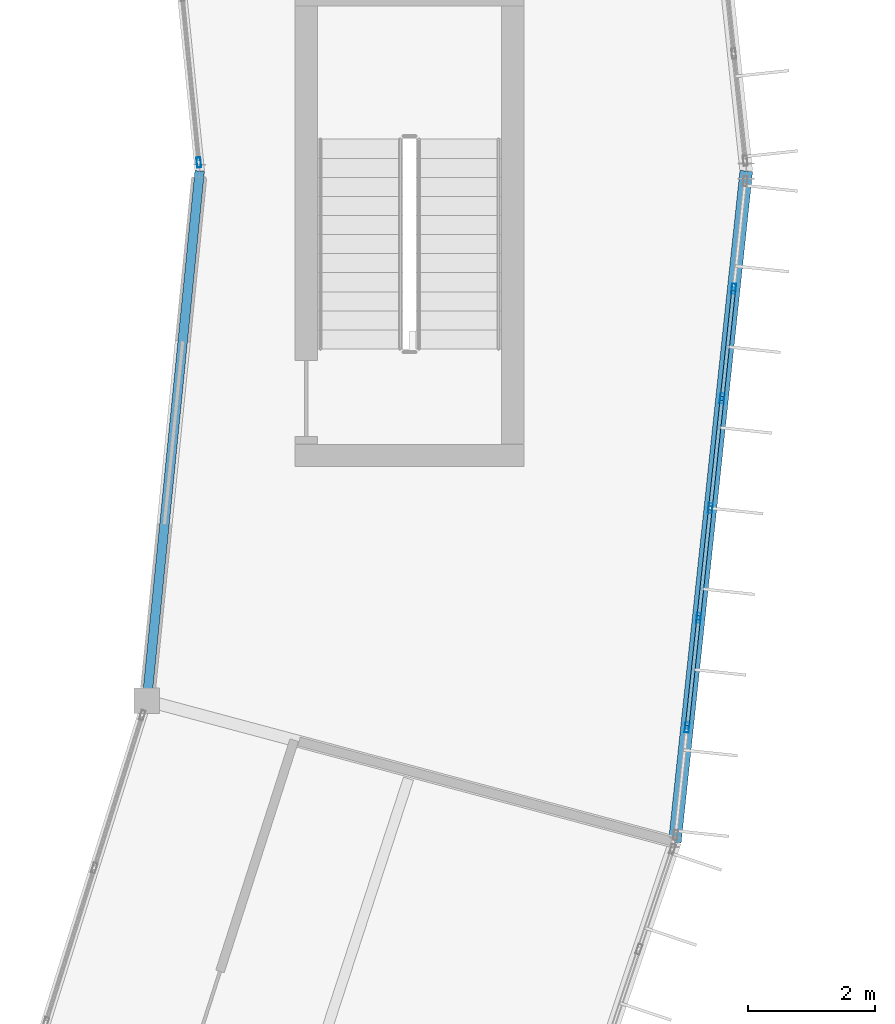
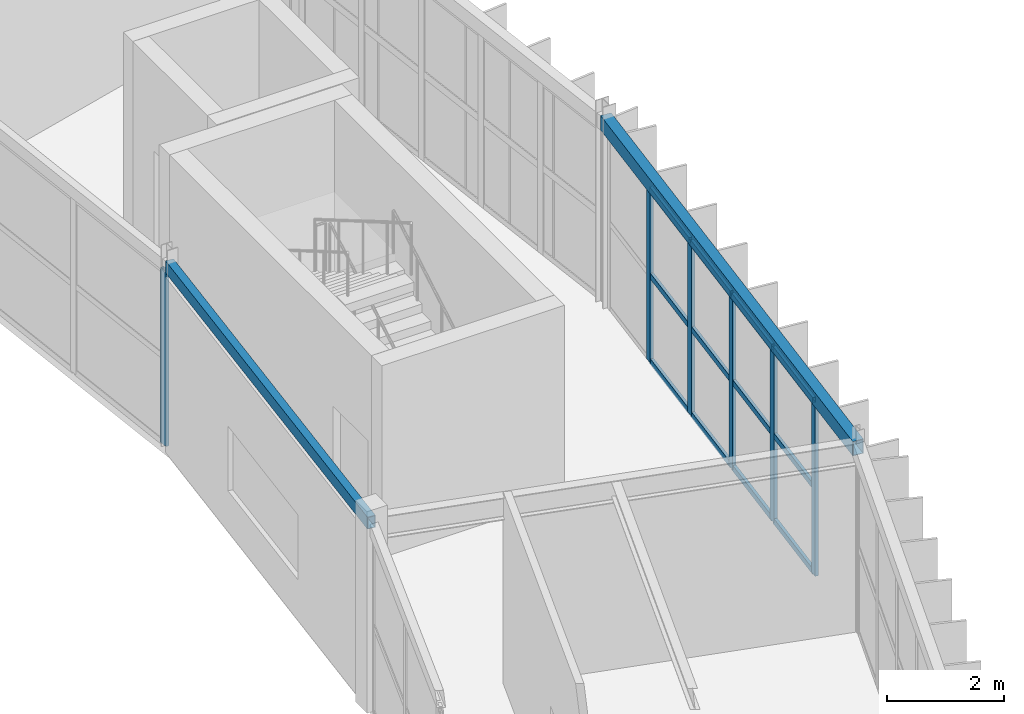
# One storey, part 50 of 106: 18 members, 2 beams, 2 elements without a shape of their own.
"""IFC4 building model written with IfcOpenShell, lengths in metres."""

from ifc_helpers import new_model, si_unit, direction, frame, origin, origin_2d, place, context, subcontext, project, spatial, hollow_rectangle, extrude, material, material_profile, profile_set, type_object, element, aggregate, save


model = new_model("IFC4")

# Units and contexts
model_context = context("Model", 3, precision=1e-05, world=origin(), true_north=direction((0.0, 1.0)))
body_context = subcontext(model_context, "Body", "Model", "MODEL_VIEW")
ifc_project = project(units=[si_unit("LENGTHUNIT", "METRE"), si_unit("AREAUNIT", "SQUARE_METRE"), si_unit("VOLUMEUNIT", "CUBIC_METRE"), si_unit("PLANEANGLEUNIT", "RADIAN"), si_unit("MASSUNIT", "GRAM", prefix="KILO")], contexts=[model_context])

# Site, building, storey
site_placement = place(None, origin())
site = spatial("IfcSite", under=ifc_project, at=site_placement, CompositionType="ELEMENT")
building_placement = place(site_placement, origin())
building = spatial("IfcBuilding", under=site, at=building_placement, Name="Karori Crest Natural Sciences Institute", CompositionType="ELEMENT")
storey_placement = place(building_placement, frame((0.0, 0.0, 25.89990234375)))
storey = spatial("IfcBuildingStorey", under=building, at=storey_placement, Name="L06", CompositionType="ELEMENT", Elevation=25.89990234375)

# Beams
ifc_material_1 = material(Name="Hollow structural steel AS/NZS 1163 Grade C350", Category="steel")
ifc_material_profile_1 = material_profile(ifc_material_1, hollow_rectangle(XDim=0.199951171875, YDim=0.300048828125, WallThickness=0.010009765625, at=origin_2d()), Name="RHS300x200x10")
ifc_profile_set_1 = profile_set([ifc_material_profile_1], Name="Hollow structural steel AS/NZS 1163 Grade C350")
beam_type_1 = type_object("IfcBeamType", Name="BT-15", PredefinedType="SPANDREL", material=ifc_profile_set_1)
beam_1_placement = place(storey_placement, frame((98.275634765625, 39.340087890625, 3.7900390625), z_axis=(0.105868278464, 0.994380162521, 0.0), x_axis=(-0.994380162521, 0.105868278464, 0.0)))
element("IfcBeam", 1, at=beam_1_placement, inside=storey, type_object=beam_type_1, Name="Beam B-0641", PredefinedType="SPANDREL", context=body_context, shape_type="SweptSolid", body=[
    extrude(hollow_rectangle(XDim=0.199951171875, YDim=0.300048828125, WallThickness=0.010009765625, at=origin_2d()), origin(), (0.0, 0.0, 1.0), 10.619384765625),
])
ifc_material_profile_2 = material_profile(ifc_material_1, hollow_rectangle(XDim=0.14990234375, YDim=0.25, WallThickness=0.009033203125, at=origin_2d()), Name="RHS250x150x9")
ifc_profile_set_2 = profile_set([ifc_material_profile_2], Name="Hollow structural steel AS/NZS 1163 Grade C350")
beam_type_2 = type_object("IfcBeamType", Name="BT-16", PredefinedType="SPANDREL", material=ifc_profile_set_2)
beam_2_placement = place(storey_placement, frame((89.968505859375, 41.56591796875, 3.7900390625), z_axis=(0.099284371237, 0.99505910057, 0.0), x_axis=(-0.99505910057, 0.099284371237, 0.0)))
element("IfcBeam", 2, at=beam_2_placement, inside=storey, type_object=beam_type_2, Name="Beam B-0642", PredefinedType="SPANDREL", context=body_context, shape_type="SweptSolid", body=[
    extrude(hollow_rectangle(XDim=0.14990234375, YDim=0.25, WallThickness=0.009033203125, at=origin_2d()), origin(), (0.0, 0.0, 1.0), 8.37548828125),
])

# Curtain wall, members
ifc_material_2 = material(Name="Anodised architectural aluminium 6063-T6", Category="aluminium")
curtain_wall_type_1 = type_object("IfcCurtainWallType", Name="CWT-04", PredefinedType="NOTDEFINED", material=ifc_material_2)
curtain_wall_1_placement = place(storey_placement, origin())
curtain_wall_1 = element("IfcCurtainWall", 3, at=curtain_wall_1_placement, inside=storey, type_object=curtain_wall_type_1, Name="Curtain wall CW-0219", PredefinedType="NOTDEFINED")
ifc_material_profile_3 = material_profile(ifc_material_2, hollow_rectangle(XDim=0.06494140625, YDim=0.159912109375, WallThickness=0.00390625, at=origin_2d()), Name="CWM160x65x4")
ifc_profile_set_3 = profile_set([ifc_material_profile_3], Name="Anodised architectural aluminium 6063-T6")
member_type_1 = type_object("IfcMemberType", Name="CWM-01", PredefinedType="MULLION", material=ifc_profile_set_3)
member_1_placement = place(storey_placement, frame((99.20263671875, 48.046630859375, 0.0), z_axis=(0.0, 0.0, 1.0), x_axis=(0.994378309998, -0.105885677057, 0.0)))
member_1 = element("IfcMember", 4, at=member_1_placement, type_object=member_type_1, Name="CW-0219 mullion 2", PredefinedType="MULLION", context=body_context, shape_type="SweptSolid", body=[
    extrude(hollow_rectangle(XDim=0.06494140625, YDim=0.159912109375, WallThickness=0.00390625, at=origin_2d()), origin(), (0.0, 0.0, 1.0), 3.625),
])
member_2_placement = place(storey_placement, frame((99.01904296875, 46.321044921875, 0.0), z_axis=(0.0, 0.0, 1.0), x_axis=(0.994378309998, -0.105885677057, 0.0)))
member_2 = element("IfcMember", 5, at=member_2_placement, type_object=member_type_1, Name="CW-0219 mullion 3", PredefinedType="MULLION", context=body_context, shape_type="SweptSolid", body=[
    extrude(hollow_rectangle(XDim=0.06494140625, YDim=0.159912109375, WallThickness=0.00390625, at=origin_2d()), origin(), (0.0, 0.0, 1.0), 3.625),
])
member_3_placement = place(storey_placement, frame((98.835205078125, 44.595703125, 0.0), z_axis=(0.0, 0.0, 1.0), x_axis=(0.994378309998, -0.105885677057, 0.0)))
member_3 = element("IfcMember", 6, at=member_3_placement, type_object=member_type_1, Name="CW-0219 mullion 4", PredefinedType="MULLION", context=body_context, shape_type="SweptSolid", body=[
    extrude(hollow_rectangle(XDim=0.06494140625, YDim=0.159912109375, WallThickness=0.00390625, at=origin_2d()), origin(), (0.0, 0.0, 1.0), 3.625),
])
member_4_placement = place(storey_placement, frame((98.6513671875, 42.8701171875, 0.0), z_axis=(0.0, 0.0, 1.0), x_axis=(0.994378309998, -0.105885677057, 0.0)))
member_4 = element("IfcMember", 7, at=member_4_placement, type_object=member_type_1, Name="CW-0219 mullion 5", PredefinedType="MULLION", context=body_context, shape_type="SweptSolid", body=[
    extrude(hollow_rectangle(XDim=0.06494140625, YDim=0.159912109375, WallThickness=0.00390625, at=origin_2d()), origin(), (0.0, 0.0, 1.0), 3.625),
])
member_5_placement = place(storey_placement, frame((98.4677734375, 41.144775390625, 0.0), z_axis=(0.0, 0.0, 1.0), x_axis=(0.994378309998, -0.105885677057, 0.0)))
member_5 = element("IfcMember", 8, at=member_5_placement, type_object=member_type_1, Name="CW-0219 mullion 6", PredefinedType="MULLION", context=body_context, shape_type="SweptSolid", body=[
    extrude(hollow_rectangle(XDim=0.06494140625, YDim=0.159912109375, WallThickness=0.00390625, at=origin_2d()), origin(), (0.0, 0.0, 1.0), 3.625),
])

# Curtain wall, member
curtain_wall_type_2 = type_object("IfcCurtainWallType", Name="CWT-11", PredefinedType="NOTDEFINED", material=ifc_material_2)
curtain_wall_2_placement = place(storey_placement, origin())
curtain_wall_2 = element("IfcCurtainWall", 9, at=curtain_wall_2_placement, inside=storey, type_object=curtain_wall_type_2, Name="Curtain wall CW-0221", PredefinedType="NOTDEFINED")
member_6_placement = place(storey_placement, frame((90.786376953125, 50.035400390625, 0.0), z_axis=(0.0, 0.0, 1.0), x_axis=(-0.995060684604, -0.099268494275, 0.0)))
member_6 = element("IfcMember", 10, at=member_6_placement, type_object=member_type_1, Name="CW-0221 mullion 1", PredefinedType="MULLION", context=body_context, shape_type="SweptSolid", body=[
    extrude(hollow_rectangle(XDim=0.06494140625, YDim=0.159912109375, WallThickness=0.00390625, at=origin_2d()), origin(), (0.0, 0.0, 1.0), 3.650146484375),
])
aggregate(curtain_wall_2, [member_6])

# Member
ifc_material_profile_4 = material_profile(ifc_material_2, hollow_rectangle(XDim=0.06005859375, YDim=0.1201171875, WallThickness=0.00390625, at=origin_2d()), Name="CWT120x60x4")
ifc_profile_set_4 = profile_set([ifc_material_profile_4], Name="Anodised architectural aluminium 6063-T6")
member_type_2 = type_object("IfcMemberType", Name="CWT-TR1", PredefinedType="USERDEFINED", material=ifc_profile_set_4)
member_7_placement = place(storey_placement, frame((99.19921875, 48.01416015625, 0.030029296875), z_axis=(-0.105841415473, -0.994383022165, 0.0), x_axis=(0.994383022165, -0.105841415473, 0.0)))
member_7 = element("IfcMember", 11, at=member_7_placement, type_object=member_type_2, Name="CW-0219 transom 2.1", ObjectType="TRANSOM", PredefinedType="USERDEFINED", context=body_context, shape_type="SweptSolid", body=[
    extrude(hollow_rectangle(XDim=0.06005859375, YDim=0.1201171875, WallThickness=0.00390625, at=origin_2d()), origin(), (0.0, 0.0, 1.0), 1.669921875),
])

member_8_placement = place(storey_placement, frame((99.19921875, 48.01416015625, 1.8125), z_axis=(-0.105841415473, -0.994383022165, 0.0), x_axis=(0.994383022165, -0.105841415473, 0.0)))
member_8 = element("IfcMember", 12, at=member_8_placement, type_object=member_type_2, Name="CW-0219 transom 2.2", ObjectType="TRANSOM", PredefinedType="USERDEFINED", context=body_context, shape_type="SweptSolid", body=[
    extrude(hollow_rectangle(XDim=0.06005859375, YDim=0.1201171875, WallThickness=0.00390625, at=origin_2d()), origin(), (0.0, 0.0, 1.0), 1.669921875),
])

member_9_placement = place(storey_placement, frame((99.19921875, 48.01416015625, 3.59521484375), z_axis=(-0.105841415473, -0.994383022165, 0.0), x_axis=(0.994383022165, -0.105841415473, 0.0)))
member_9 = element("IfcMember", 13, at=member_9_placement, type_object=member_type_2, Name="CW-0219 transom 2.3", ObjectType="TRANSOM", PredefinedType="USERDEFINED", context=body_context, shape_type="SweptSolid", body=[
    extrude(hollow_rectangle(XDim=0.06005859375, YDim=0.1201171875, WallThickness=0.00390625, at=origin_2d()), origin(), (0.0, 0.0, 1.0), 1.669921875),
])

member_10_placement = place(storey_placement, frame((99.015380859375, 46.288818359375, 0.030029296875), z_axis=(-0.105826031672, -0.994384659486, 0.0), x_axis=(0.994384659486, -0.105826031672, 0.0)))
member_10 = element("IfcMember", 14, at=member_10_placement, type_object=member_type_2, Name="CW-0219 transom 3.1", ObjectType="TRANSOM", PredefinedType="USERDEFINED", context=body_context, shape_type="SweptSolid", body=[
    extrude(hollow_rectangle(XDim=0.06005859375, YDim=0.1201171875, WallThickness=0.00390625, at=origin_2d()), origin(), (0.0, 0.0, 1.0), 1.670166015625),
])

member_11_placement = place(storey_placement, frame((99.015380859375, 46.288818359375, 1.8125), z_axis=(-0.105826031672, -0.994384659486, 0.0), x_axis=(0.994384659486, -0.105826031672, 0.0)))
member_11 = element("IfcMember", 15, at=member_11_placement, type_object=member_type_2, Name="CW-0219 transom 3.2", ObjectType="TRANSOM", PredefinedType="USERDEFINED", context=body_context, shape_type="SweptSolid", body=[
    extrude(hollow_rectangle(XDim=0.06005859375, YDim=0.1201171875, WallThickness=0.00390625, at=origin_2d()), origin(), (0.0, 0.0, 1.0), 1.670166015625),
])

member_12_placement = place(storey_placement, frame((99.015380859375, 46.288818359375, 3.59521484375), z_axis=(-0.105826031672, -0.994384659486, 0.0), x_axis=(0.994384659486, -0.105826031672, 0.0)))
member_12 = element("IfcMember", 16, at=member_12_placement, type_object=member_type_2, Name="CW-0219 transom 3.3", ObjectType="TRANSOM", PredefinedType="USERDEFINED", context=body_context, shape_type="SweptSolid", body=[
    extrude(hollow_rectangle(XDim=0.06005859375, YDim=0.1201171875, WallThickness=0.00390625, at=origin_2d()), origin(), (0.0, 0.0, 1.0), 1.670166015625),
])

member_13_placement = place(storey_placement, frame((98.831787109375, 44.563232421875, 0.030029296875), z_axis=(-0.105841415473, -0.994383022165, 0.0), x_axis=(0.994383022165, -0.105841415473, 0.0)))
member_13 = element("IfcMember", 17, at=member_13_placement, type_object=member_type_2, Name="CW-0219 transom 4.1", ObjectType="TRANSOM", PredefinedType="USERDEFINED", context=body_context, shape_type="SweptSolid", body=[
    extrude(hollow_rectangle(XDim=0.06005859375, YDim=0.1201171875, WallThickness=0.00390625, at=origin_2d()), origin(), (0.0, 0.0, 1.0), 1.669921875),
])

member_14_placement = place(storey_placement, frame((98.831787109375, 44.563232421875, 1.8125), z_axis=(-0.105841415473, -0.994383022165, 0.0), x_axis=(0.994383022165, -0.105841415473, 0.0)))
member_14 = element("IfcMember", 18, at=member_14_placement, type_object=member_type_2, Name="CW-0219 transom 4.2", ObjectType="TRANSOM", PredefinedType="USERDEFINED", context=body_context, shape_type="SweptSolid", body=[
    extrude(hollow_rectangle(XDim=0.06005859375, YDim=0.1201171875, WallThickness=0.00390625, at=origin_2d()), origin(), (0.0, 0.0, 1.0), 1.669921875),
])

member_15_placement = place(storey_placement, frame((98.831787109375, 44.563232421875, 3.59521484375), z_axis=(-0.105841415473, -0.994383022165, 0.0), x_axis=(0.994383022165, -0.105841415473, 0.0)))
member_15 = element("IfcMember", 19, at=member_15_placement, type_object=member_type_2, Name="CW-0219 transom 4.3", ObjectType="TRANSOM", PredefinedType="USERDEFINED", context=body_context, shape_type="SweptSolid", body=[
    extrude(hollow_rectangle(XDim=0.06005859375, YDim=0.1201171875, WallThickness=0.00390625, at=origin_2d()), origin(), (0.0, 0.0, 1.0), 1.669921875),
])

member_16_placement = place(storey_placement, frame((98.64794921875, 42.837890625, 0.030029296875), z_axis=(-0.105826031672, -0.994384659486, 0.0), x_axis=(0.994384659486, -0.105826031672, 0.0)))
member_16 = element("IfcMember", 20, at=member_16_placement, type_object=member_type_2, Name="CW-0219 transom 5.1", ObjectType="TRANSOM", PredefinedType="USERDEFINED", context=body_context, shape_type="SweptSolid", body=[
    extrude(hollow_rectangle(XDim=0.06005859375, YDim=0.1201171875, WallThickness=0.00390625, at=origin_2d()), origin(), (0.0, 0.0, 1.0), 1.670166015625),
])

member_17_placement = place(storey_placement, frame((98.64794921875, 42.837890625, 1.8125), z_axis=(-0.105826031672, -0.994384659486, 0.0), x_axis=(0.994384659486, -0.105826031672, 0.0)))
member_17 = element("IfcMember", 21, at=member_17_placement, type_object=member_type_2, Name="CW-0219 transom 5.2", ObjectType="TRANSOM", PredefinedType="USERDEFINED", context=body_context, shape_type="SweptSolid", body=[
    extrude(hollow_rectangle(XDim=0.06005859375, YDim=0.1201171875, WallThickness=0.00390625, at=origin_2d()), origin(), (0.0, 0.0, 1.0), 1.670166015625),
])

member_18_placement = place(storey_placement, frame((98.64794921875, 42.837890625, 3.59521484375), z_axis=(-0.105826031672, -0.994384659486, 0.0), x_axis=(0.994384659486, -0.105826031672, 0.0)))
member_18 = element("IfcMember", 22, at=member_18_placement, type_object=member_type_2, Name="CW-0219 transom 5.3", ObjectType="TRANSOM", PredefinedType="USERDEFINED", context=body_context, shape_type="SweptSolid", body=[
    extrude(hollow_rectangle(XDim=0.06005859375, YDim=0.1201171875, WallThickness=0.00390625, at=origin_2d()), origin(), (0.0, 0.0, 1.0), 1.670166015625),
])

aggregate(curtain_wall_1, [member_1, member_2, member_3, member_4, member_5, member_7, member_8, member_9, member_10, member_11, member_12, member_13, member_14, member_15, member_16, member_17, member_18])

save(model, "model.ifc")
